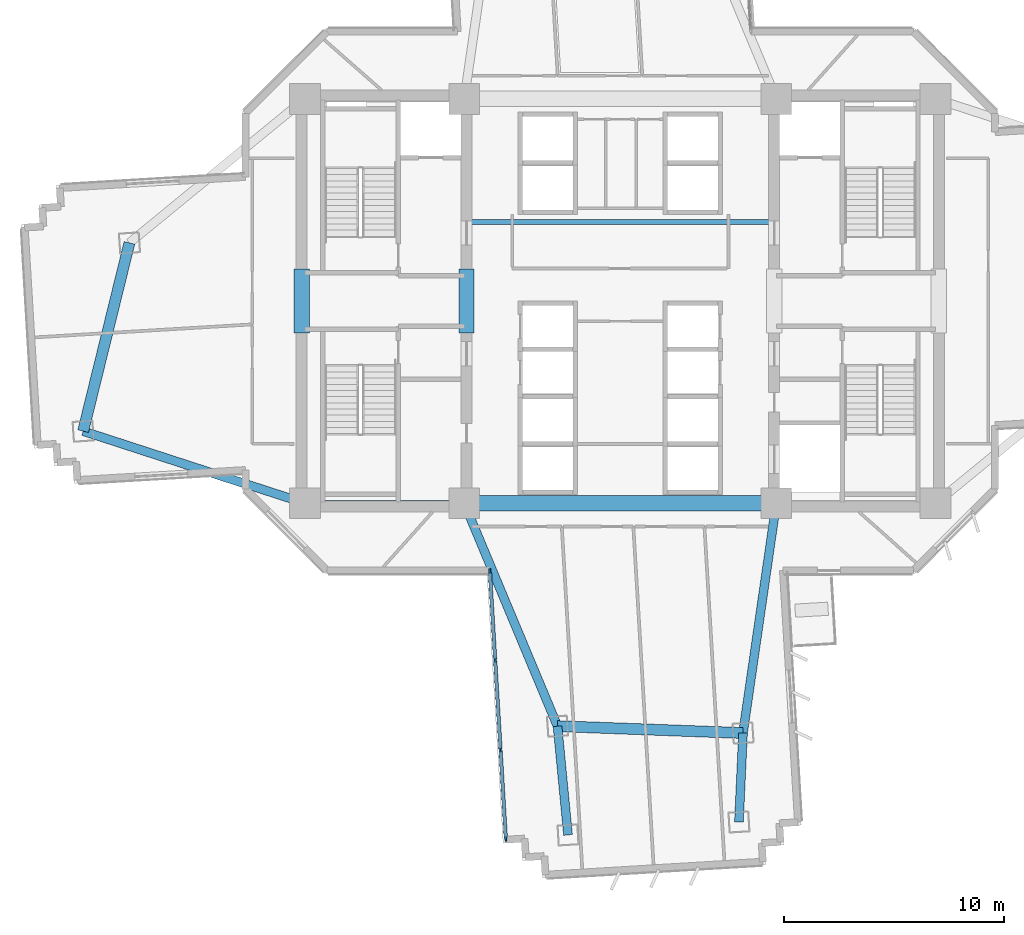
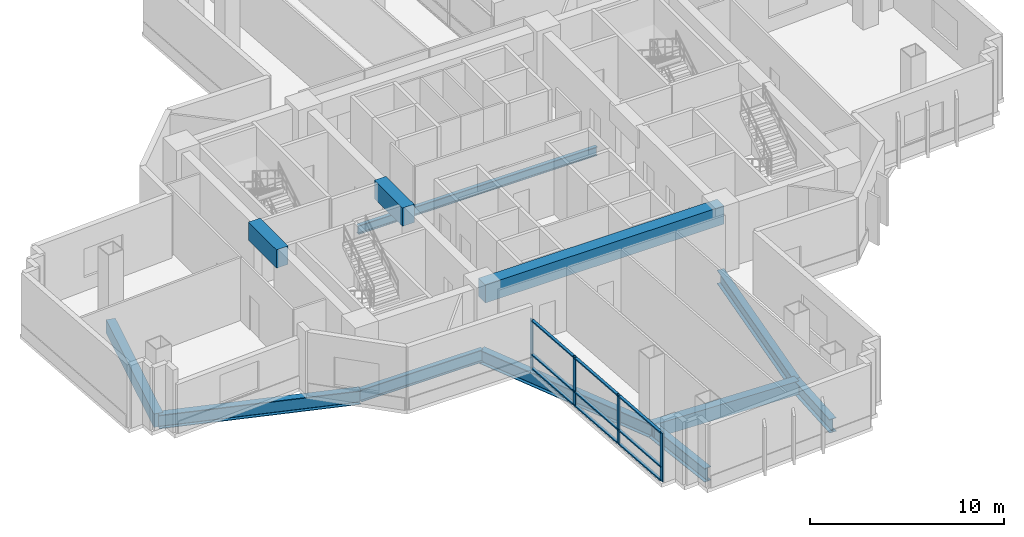
# One storey, part 2 of 15: 13 members, 12 beams, 1 element without a shape of its own.
"""IFC4 building model written with IfcOpenShell, lengths in metres."""

from ifc_helpers import new_model, si_unit, direction, frame, origin, origin_2d, place, context, subcontext, project, spatial, rectangle, i_section, extrude, source, transform, mapped, material, layer, layer_set, material_profile, profile_set, type_object, element, aggregate, save


model = new_model("IFC4")

# Units and contexts
model_context = context("Model", 3, precision=1e-05, world=origin(), true_north=direction((0.0, 1.0)))
body_context = subcontext(model_context, "Body", "Model", "MODEL_VIEW")
ifc_project = project(units=[si_unit("LENGTHUNIT", "METRE"), si_unit("AREAUNIT", "SQUARE_METRE"), si_unit("VOLUMEUNIT", "CUBIC_METRE"), si_unit("PLANEANGLEUNIT", "RADIAN"), si_unit("MASSUNIT", "GRAM", prefix="KILO")], contexts=[model_context])

# Site, building, storey
site_placement = place(None, origin())
site = spatial("IfcSite", under=ifc_project, at=site_placement, CompositionType="ELEMENT")
building_placement = place(site_placement, origin())
building = spatial("IfcBuilding", under=site, at=building_placement, Name="Zahravan Cultural Tower", CompositionType="ELEMENT")
storey_placement = place(building_placement, frame((0.0, 0.0, 66.89990234375)))
storey = spatial("IfcBuildingStorey", under=building, at=storey_placement, Name="L14", CompositionType="ELEMENT", Elevation=66.89990234375)

# Beams
ifc_material_1 = material(Name="Concrete C50/60", Category="concrete")
ifc_material_profile_1 = material_profile(ifc_material_1, rectangle(XDim=0.699951171875, YDim=1.14990234375, at=origin_2d()), Name="RC700X1150")
ifc_profile_set_1 = profile_set([ifc_material_profile_1], Name="Concrete C50/60")
beam_type_1 = type_object("IfcBeamType", Name="BM-LN-RC700X1150", PredefinedType="LINTEL", material=ifc_profile_set_1)
shared_shape_1 = source(origin(), body_context, "Body", "SweptSolid", [
    extrude(rectangle(XDim=0.699951171875, YDim=1.14990234375, at=origin_2d()), origin(), (0.0, 0.0, 1.0), 14.2001953125),
])
beam_1_placement = place(storey_placement, frame((28.89990234375, 17.800048828125, 3.375), z_axis=(1.0, 0.0, 0.0), x_axis=(0.0, 1.0, 0.0)))
element("IfcBeam", 1, at=beam_1_placement, inside=storey, type_object=beam_type_1, Name="L14 Beam LN-L14-S", PredefinedType="LINTEL", context=body_context, shape_type="MappedRepresentation", body=[
    mapped(shared_shape_1, transform((0.0, 0.0, 0.0), x_axis=(1.0, 0.0, 0.0), y_axis=(0.0, 1.0, 0.0), z_axis=(0.0, 0.0, 1.0), scale=1.0)),
])
shared_shape_2 = source(origin(), body_context, "Body", "SweptSolid", [
    extrude(rectangle(XDim=0.699951171875, YDim=1.14990234375, at=origin_2d()), origin(), (0.0, 0.0, 1.0), 2.89990234375),
])
for number, where, z_axis, x_axis, name in (
    (2, (21.5, 25.550048828125, 3.375), (0.0, 1.0, 0.0), (-1.0, 0.0, 0.0), "L14 Beam LN-L14-PWW"),
    (3, (29.0, 25.550048828125, 3.375), (0.0, 1.0, 0.0), (-1.0, 0.0, 0.0), "L14 Beam LN-L14-PWE"),
):
    element("IfcBeam", number, at=place(storey_placement, frame(where, z_axis=z_axis, x_axis=x_axis)), inside=storey, type_object=beam_type_1, Name=name, PredefinedType="LINTEL", context=body_context, shape_type="MappedRepresentation", body=[
        mapped(shared_shape_2, transform((0.0, 0.0, 0.0), x_axis=(1.0, 0.0, 0.0), y_axis=(0.0, 1.0, 0.0), z_axis=(0.0, 0.0, 1.0), scale=1.0)),
    ])
ifc_material_2 = material(Name="Steel ASTM A992 Grade 50", Category="steel")
ifc_material_profile_2 = material_profile(ifc_material_2, i_section(OverallWidth=0.26611328125, OverallDepth=0.780029296875, WebThickness=0.0166015625, FlangeThickness=0.030029296875, FilletRadius=0.01904296875, at=origin_2d()), Name="W30X148")
ifc_profile_set_2 = profile_set([ifc_material_profile_2], Name="Steel ASTM A992 Grade 50")
beam_type_2 = type_object("IfcBeamType", Name="BM-G-W30X148", PredefinedType="BEAM", material=ifc_profile_set_2)
shared_shape_3 = source(origin(), body_context, "Body", "SweptSolid", [
    extrude(i_section(OverallWidth=0.26611328125, OverallDepth=0.780029296875, WebThickness=0.0166015625, FlangeThickness=0.030029296875, FilletRadius=0.01904296875, at=origin_2d()), origin(), (0.0, 0.0, 1.0), 7.25),
])
beam_2_placement = place(storey_placement, frame((21.64990234375, 17.800048828125, -0.639892578125), z_axis=(1.0, 0.0, 0.0), x_axis=(0.0, 1.0, 0.0)))
element("IfcBeam", 4, at=beam_2_placement, inside=storey, type_object=beam_type_2, Name="L14 Beam BG-L14-01", PredefinedType="BEAM", context=body_context, shape_type="MappedRepresentation", body=[
    mapped(shared_shape_3, transform((0.0, 0.0, 0.0), x_axis=(1.0, 0.0, 0.0), y_axis=(0.0, 1.0, 0.0), z_axis=(0.0, 0.0, 1.0), scale=1.0)),
])
ifc_material_profile_3 = material_profile(ifc_material_1, rectangle(XDim=0.5, YDim=0.85009765625, at=origin_2d()), Name="RC500X850")
ifc_profile_set_3 = profile_set([ifc_material_profile_3], Name="Concrete C50/60")
beam_type_3 = type_object("IfcBeamType", Name="BM-SP-RC500X850", PredefinedType="SPANDREL", material=ifc_profile_set_3)
shared_shape_4 = source(origin(), body_context, "Body", "SweptSolid", [
    extrude(rectangle(XDim=0.5, YDim=0.85009765625, at=origin_2d()), origin(), (0.0, 0.0, 1.0), 8.4482421875),
])
beam_3_placement = place(storey_placement, frame((33.142578125, 7.653564453125, -0.6748046875), z_axis=(0.999318826256, -0.036903705643, 0.0), x_axis=(0.036903705643, 0.999318826256, 0.0)))
element("IfcBeam", 5, at=beam_3_placement, inside=storey, type_object=beam_type_3, Name="L14 Beam SP-L14-19", PredefinedType="SPANDREL", context=body_context, shape_type="MappedRepresentation", body=[
    mapped(shared_shape_4, transform((0.0, 0.0, 0.0), x_axis=(1.0, 0.0, 0.0), y_axis=(0.0, 1.0, 0.0), z_axis=(0.0, 0.0, 1.0), scale=1.0)),
])
shared_shape_5 = source(origin(), body_context, "Body", "SweptSolid", [
    extrude(rectangle(XDim=0.5, YDim=0.85009765625, at=origin_2d()), origin(), (0.0, 0.0, 1.0), 8.8232421875),
])
beam_4_placement = place(storey_placement, frame((13.660888671875, 29.648193359375, -0.6748046875), z_axis=(-0.238848860516, -0.971056755206, 0.0), x_axis=(0.971056755206, -0.238848860516, 0.0)))
element("IfcBeam", 6, at=beam_4_placement, inside=storey, type_object=beam_type_3, Name="L14 Beam SP-L14-22", PredefinedType="SPANDREL", context=body_context, shape_type="MappedRepresentation", body=[
    mapped(shared_shape_5, transform((0.0, 0.0, 0.0), x_axis=(1.0, 0.0, 0.0), y_axis=(0.0, 1.0, 0.0), z_axis=(0.0, 0.0, 1.0), scale=1.0)),
])
ifc_material_profile_4 = material_profile(ifc_material_2, i_section(OverallWidth=0.39990234375, OverallDepth=0.862060546875, WebThickness=0.019775390625, FlangeThickness=0.032470703125, FilletRadius=0.02001953125, at=origin_2d()), Name="W33X221")
ifc_profile_set_4 = profile_set([ifc_material_profile_4], Name="Steel ASTM A992 Grade 50")
beam_type_4 = type_object("IfcBeamType", Name="BM-G-W33X221", PredefinedType="BEAM", material=ifc_profile_set_4)
shared_shape_6 = source(origin(), body_context, "Body", "SweptSolid", [
    extrude(i_section(OverallWidth=0.39990234375, OverallDepth=0.862060546875, WebThickness=0.019775390625, FlangeThickness=0.032470703125, FilletRadius=0.02001953125, at=origin_2d()), origin(), (0.0, 0.0, 1.0), 10.615966796875),
])
beam_5_placement = place(storey_placement, frame((21.64990234375, 17.800048828125, -0.680908203125), z_axis=(-0.951063640083, 0.30899506875, 0.0), x_axis=(-0.30899506875, -0.951063640083, 0.0)))
element("IfcBeam", 7, at=beam_5_placement, inside=storey, type_object=beam_type_4, Name="L14 Beam BG-L14-07", PredefinedType="BEAM", context=body_context, shape_type="MappedRepresentation", body=[
    mapped(shared_shape_6, transform((0.0, 0.0, 0.0), x_axis=(1.0, 0.0, 0.0), y_axis=(0.0, 1.0, 0.0), z_axis=(0.0, 0.0, 1.0), scale=1.0)),
])
shared_shape_7 = source(origin(), body_context, "Body", "SweptSolid", [
    extrude(i_section(OverallWidth=0.39990234375, OverallDepth=0.862060546875, WebThickness=0.019775390625, FlangeThickness=0.032470703125, FilletRadius=0.02001953125, at=origin_2d()), origin(), (0.0, 0.0, 1.0), 10.997802734375),
])
beam_6_placement = place(storey_placement, frame((28.89990234375, 17.800048828125, -0.680908203125), z_axis=(0.385775211449, -0.922592806297, 0.0), x_axis=(0.922592806297, 0.385775211449, 0.0)))
element("IfcBeam", 8, at=beam_6_placement, inside=storey, type_object=beam_type_4, Name="L14 Beam BG-L14-08", PredefinedType="BEAM", context=body_context, shape_type="MappedRepresentation", body=[
    mapped(shared_shape_7, transform((0.0, 0.0, 0.0), x_axis=(1.0, 0.0, 0.0), y_axis=(0.0, 1.0, 0.0), z_axis=(0.0, 0.0, 1.0), scale=1.0)),
])
shared_shape_8 = source(origin(), body_context, "Body", "SweptSolid", [
    extrude(i_section(OverallWidth=0.39990234375, OverallDepth=0.862060546875, WebThickness=0.019775390625, FlangeThickness=0.032470703125, FilletRadius=0.02001953125, at=origin_2d()), origin(), (0.0, 0.0, 1.0), 10.5673828125),
])
beam_7_placement = place(storey_placement, frame((43.10009765625, 17.800048828125, -0.680908203125), z_axis=(-0.143377913539, -0.989668011966, 0.0), x_axis=(0.989668011966, -0.143377913539, 0.0)))
element("IfcBeam", 9, at=beam_7_placement, inside=storey, type_object=beam_type_4, Name="L14 Beam BG-L14-09", PredefinedType="BEAM", context=body_context, shape_type="MappedRepresentation", body=[
    mapped(shared_shape_8, transform((0.0, 0.0, 0.0), x_axis=(1.0, 0.0, 0.0), y_axis=(0.0, 1.0, 0.0), z_axis=(0.0, 0.0, 1.0), scale=1.0)),
])
shared_shape_9 = source(origin(), body_context, "Body", "SweptSolid", [
    extrude(i_section(OverallWidth=0.39990234375, OverallDepth=0.862060546875, WebThickness=0.019775390625, FlangeThickness=0.032470703125, FilletRadius=0.02001953125, at=origin_2d()), origin(), (0.0, 0.0, 1.0), 4.973876953125),
])
beam_8_placement = place(storey_placement, frame((33.142578125, 7.653564453125, -0.680908203125), z_axis=(0.096154779131, -0.995366394073, 0.0), x_axis=(0.995366394073, 0.096154779131, 0.0)))
element("IfcBeam", 10, at=beam_8_placement, inside=storey, type_object=beam_type_4, Name="L14 Beam BG-L14-17", PredefinedType="BEAM", context=body_context, shape_type="MappedRepresentation", body=[
    mapped(shared_shape_9, transform((0.0, 0.0, 0.0), x_axis=(1.0, 0.0, 0.0), y_axis=(0.0, 1.0, 0.0), z_axis=(0.0, 0.0, 1.0), scale=1.0)),
])
shared_shape_10 = source(origin(), body_context, "Body", "SweptSolid", [
    extrude(i_section(OverallWidth=0.39990234375, OverallDepth=0.862060546875, WebThickness=0.019775390625, FlangeThickness=0.032470703125, FilletRadius=0.02001953125, at=origin_2d()), origin(), (0.0, 0.0, 1.0), 4.0537109375),
])
beam_9_placement = place(storey_placement, frame((41.5849609375, 7.341796875, -0.680908203125), z_axis=(-0.045770994677, -0.998951958828, 0.0), x_axis=(0.998951958828, -0.045770994677, 0.0)))
element("IfcBeam", 11, at=beam_9_placement, inside=storey, type_object=beam_type_4, Name="L14 Beam BG-L14-18", PredefinedType="BEAM", context=body_context, shape_type="MappedRepresentation", body=[
    mapped(shared_shape_10, transform((0.0, 0.0, 0.0), x_axis=(1.0, 0.0, 0.0), y_axis=(0.0, 1.0, 0.0), z_axis=(0.0, 0.0, 1.0), scale=1.0)),
])
ifc_material_profile_5 = material_profile(ifc_material_2, i_section(OverallWidth=0.214111328125, OverallDepth=0.549072265625, WebThickness=0.0146484375, FlangeThickness=0.023681640625, FilletRadius=0.013916015625, at=origin_2d()), Name="W21X93")
ifc_profile_set_5 = profile_set([ifc_material_profile_5], Name="Steel ASTM A992 Grade 50")
beam_type_5 = type_object("IfcBeamType", Name="BM-J-W21X93", PredefinedType="JOIST", material=ifc_profile_set_5)
shared_shape_11 = source(origin(), body_context, "Body", "SweptSolid", [
    extrude(i_section(OverallWidth=0.214111328125, OverallDepth=0.549072265625, WebThickness=0.0146484375, FlangeThickness=0.023681640625, FilletRadius=0.013916015625, at=origin_2d()), origin(), (0.0, 0.0, 1.0), 14.2001953125),
])
beam_10_placement = place(storey_placement, frame((28.89990234375, 30.60009765625, -0.5244140625), z_axis=(1.0, 0.0, 0.0), x_axis=(0.0, 1.0, 0.0)))
element("IfcBeam", 12, at=beam_10_placement, inside=storey, type_object=beam_type_5, Name="L14 Beam BJ-L14-23", PredefinedType="JOIST", context=body_context, shape_type="MappedRepresentation", body=[
    mapped(shared_shape_11, transform((0.0, 0.0, 0.0), x_axis=(1.0, 0.0, 0.0), y_axis=(0.0, 1.0, 0.0), z_axis=(0.0, 0.0, 1.0), scale=1.0)),
])

# Curtain wall, members
ifc_material_3 = material(Name="Anodised bronze-aluminium mullion", Category="aluminium")
ifc_layer = layer(ifc_material_3, 0.219970703125)
ifc_layer_set = layer_set([ifc_layer], Name="Anodised bronze-aluminium mullion")
curtain_wall_type = type_object("IfcCurtainWallType", Name="CW-SYS-1", PredefinedType="USERDEFINED", material=ifc_layer_set)
curtain_wall_placement = place(storey_placement, origin())
curtain_wall = element("IfcCurtainWall", 13, at=curtain_wall_placement, inside=storey, type_object=curtain_wall_type, Name="L14 Recessed Curtain Wall CW-1.1", ObjectType="RECESSED GLAZING", PredefinedType="USERDEFINED")
ifc_material_profile_6 = material_profile(ifc_material_3, rectangle(XDim=0.080078125, YDim=0.219970703125, at=origin_2d()), Name="AL-M80X220")
ifc_profile_set_6 = profile_set([ifc_material_profile_6], Name="Anodised bronze-aluminium mullion")
member_type_1 = type_object("IfcMemberType", Name="CWM-CW-1", PredefinedType="MULLION", material=ifc_profile_set_6)
shared_shape_12 = source(origin(), body_context, "Body", "SweptSolid", [
    extrude(rectangle(XDim=0.080078125, YDim=0.219970703125, at=origin_2d()), origin(), (0.0, 0.0, 1.0), 3.070068359375),
])
member_1_placement = place(storey_placement, frame((30.790771484375, 2.525634765625, 0.0), z_axis=(0.0, 0.0, 1.0), x_axis=(-0.998219222021, -0.059652198511, 0.0)))
member_1 = element("IfcMember", 14, at=member_1_placement, type_object=member_type_1, Name="CW-1 mullion 1", PredefinedType="MULLION", context=body_context, shape_type="MappedRepresentation", body=[
    mapped(shared_shape_12, transform((0.0, 0.0, 0.0), x_axis=(1.0, 0.0, 0.0), y_axis=(0.0, 1.0, 0.0), z_axis=(0.0, 0.0, 1.0), scale=1.0)),
])
member_2_placement = place(storey_placement, frame((30.549072265625, 6.570556640625, 0.0), z_axis=(0.0, 0.0, 1.0), x_axis=(-0.998219222021, -0.059652198511, 0.0)))
member_2 = element("IfcMember", 15, at=member_2_placement, type_object=member_type_1, Name="CW-1 mullion 2", PredefinedType="MULLION", context=body_context, shape_type="MappedRepresentation", body=[
    mapped(shared_shape_12, transform((0.0, 0.0, 0.0), x_axis=(1.0, 0.0, 0.0), y_axis=(0.0, 1.0, 0.0), z_axis=(0.0, 0.0, 1.0), scale=1.0)),
])
member_3_placement = place(storey_placement, frame((30.304931640625, 10.6552734375, 0.0), z_axis=(0.0, 0.0, 1.0), x_axis=(-0.998219222021, -0.059652198511, 0.0)))
member_3 = element("IfcMember", 16, at=member_3_placement, type_object=member_type_1, Name="CW-1 mullion 3", PredefinedType="MULLION", context=body_context, shape_type="MappedRepresentation", body=[
    mapped(shared_shape_12, transform((0.0, 0.0, 0.0), x_axis=(1.0, 0.0, 0.0), y_axis=(0.0, 1.0, 0.0), z_axis=(0.0, 0.0, 1.0), scale=1.0)),
])
member_4_placement = place(storey_placement, frame((30.063232421875, 14.699951171875, 0.0), z_axis=(0.0, 0.0, 1.0), x_axis=(-0.998219222021, -0.059652198511, 0.0)))
member_4 = element("IfcMember", 17, at=member_4_placement, type_object=member_type_1, Name="CW-1 mullion 4", PredefinedType="MULLION", context=body_context, shape_type="MappedRepresentation", body=[
    mapped(shared_shape_12, transform((0.0, 0.0, 0.0), x_axis=(1.0, 0.0, 0.0), y_axis=(0.0, 1.0, 0.0), z_axis=(0.0, 0.0, 1.0), scale=1.0)),
])
ifc_material_profile_7 = material_profile(ifc_material_3, rectangle(XDim=0.159912109375, YDim=0.080078125, at=origin_2d()), Name="AL-T80X160")
ifc_profile_set_7 = profile_set([ifc_material_profile_7], Name="Anodised bronze-aluminium mullion")
member_type_2 = type_object("IfcMemberType", Name="CWT-CW-1", PredefinedType="USERDEFINED", material=ifc_profile_set_7)
shared_shape_13 = source(origin(), body_context, "Body", "SweptSolid", [
    extrude(rectangle(XDim=0.159912109375, YDim=0.080078125, at=origin_2d()), origin(), (0.0, 0.0, 1.0), 3.971923828125),
])
member_5_placement = place(storey_placement, frame((30.788330078125, 2.565673828125, 0.0400390625), z_axis=(-0.059684052693, 0.998217317949, 0.0), x_axis=(-0.998217317949, -0.059684052693, 0.0)))
member_5 = element("IfcMember", 18, at=member_5_placement, type_object=member_type_2, Name="CW-1 transom 1.1", ObjectType="TRANSOM", PredefinedType="USERDEFINED", context=body_context, shape_type="MappedRepresentation", body=[
    mapped(shared_shape_13, transform((0.0, 0.0, 0.0), x_axis=(1.0, 0.0, 0.0), y_axis=(0.0, 1.0, 0.0), z_axis=(0.0, 0.0, 1.0), scale=1.0)),
])
member_6_placement = place(storey_placement, frame((30.788330078125, 2.565673828125, 0.900146484375), z_axis=(-0.059684052693, 0.998217317949, 0.0), x_axis=(-0.998217317949, -0.059684052693, 0.0)))
member_6 = element("IfcMember", 19, at=member_6_placement, type_object=member_type_2, Name="CW-1 transom 1.2", ObjectType="TRANSOM", PredefinedType="USERDEFINED", context=body_context, shape_type="MappedRepresentation", body=[
    mapped(shared_shape_13, transform((0.0, 0.0, 0.0), x_axis=(1.0, 0.0, 0.0), y_axis=(0.0, 1.0, 0.0), z_axis=(0.0, 0.0, 1.0), scale=1.0)),
])
member_7_placement = place(storey_placement, frame((30.788330078125, 2.565673828125, 3.030029296875), z_axis=(-0.059684052693, 0.998217317949, 0.0), x_axis=(-0.998217317949, -0.059684052693, 0.0)))
member_7 = element("IfcMember", 20, at=member_7_placement, type_object=member_type_2, Name="CW-1 transom 1.3", ObjectType="TRANSOM", PredefinedType="USERDEFINED", context=body_context, shape_type="MappedRepresentation", body=[
    mapped(shared_shape_13, transform((0.0, 0.0, 0.0), x_axis=(1.0, 0.0, 0.0), y_axis=(0.0, 1.0, 0.0), z_axis=(0.0, 0.0, 1.0), scale=1.0)),
])
shared_shape_14 = source(origin(), body_context, "Body", "SweptSolid", [
    extrude(rectangle(XDim=0.159912109375, YDim=0.080078125, at=origin_2d()), origin(), (0.0, 0.0, 1.0), 4.011962890625),
])
member_8_placement = place(storey_placement, frame((30.546630859375, 6.6103515625, 0.0400390625), z_axis=(-0.059635200737, 0.99822023764, 0.0), x_axis=(-0.99822023764, -0.059635200737, 0.0)))
member_8 = element("IfcMember", 21, at=member_8_placement, type_object=member_type_2, Name="CW-1 transom 2.1", ObjectType="TRANSOM", PredefinedType="USERDEFINED", context=body_context, shape_type="MappedRepresentation", body=[
    mapped(shared_shape_14, transform((0.0, 0.0, 0.0), x_axis=(1.0, 0.0, 0.0), y_axis=(0.0, 1.0, 0.0), z_axis=(0.0, 0.0, 1.0), scale=1.0)),
])
member_9_placement = place(storey_placement, frame((30.546630859375, 6.6103515625, 0.900146484375), z_axis=(-0.059635200737, 0.99822023764, 0.0), x_axis=(-0.99822023764, -0.059635200737, 0.0)))
member_9 = element("IfcMember", 22, at=member_9_placement, type_object=member_type_2, Name="CW-1 transom 2.2", ObjectType="TRANSOM", PredefinedType="USERDEFINED", context=body_context, shape_type="MappedRepresentation", body=[
    mapped(shared_shape_14, transform((0.0, 0.0, 0.0), x_axis=(1.0, 0.0, 0.0), y_axis=(0.0, 1.0, 0.0), z_axis=(0.0, 0.0, 1.0), scale=1.0)),
])
member_10_placement = place(storey_placement, frame((30.546630859375, 6.6103515625, 3.030029296875), z_axis=(-0.059635200737, 0.99822023764, 0.0), x_axis=(-0.99822023764, -0.059635200737, 0.0)))
member_10 = element("IfcMember", 23, at=member_10_placement, type_object=member_type_2, Name="CW-1 transom 2.3", ObjectType="TRANSOM", PredefinedType="USERDEFINED", context=body_context, shape_type="MappedRepresentation", body=[
    mapped(shared_shape_14, transform((0.0, 0.0, 0.0), x_axis=(1.0, 0.0, 0.0), y_axis=(0.0, 1.0, 0.0), z_axis=(0.0, 0.0, 1.0), scale=1.0)),
])
shared_shape_15 = source(origin(), body_context, "Body", "SweptSolid", [
    extrude(rectangle(XDim=0.159912109375, YDim=0.080078125, at=origin_2d()), origin(), (0.0, 0.0, 1.0), 3.97216796875),
])
member_11_placement = place(storey_placement, frame((30.302490234375, 10.695068359375, 0.0400390625), z_axis=(-0.059619146648, 0.998221196606, 0.0), x_axis=(-0.998221196606, -0.059619146648, 0.0)))
member_11 = element("IfcMember", 24, at=member_11_placement, type_object=member_type_2, Name="CW-1 transom 3.1", ObjectType="TRANSOM", PredefinedType="USERDEFINED", context=body_context, shape_type="MappedRepresentation", body=[
    mapped(shared_shape_15, transform((0.0, 0.0, 0.0), x_axis=(1.0, 0.0, 0.0), y_axis=(0.0, 1.0, 0.0), z_axis=(0.0, 0.0, 1.0), scale=1.0)),
])
member_12_placement = place(storey_placement, frame((30.302490234375, 10.695068359375, 0.900146484375), z_axis=(-0.059619146648, 0.998221196606, 0.0), x_axis=(-0.998221196606, -0.059619146648, 0.0)))
member_12 = element("IfcMember", 25, at=member_12_placement, type_object=member_type_2, Name="CW-1 transom 3.2", ObjectType="TRANSOM", PredefinedType="USERDEFINED", context=body_context, shape_type="MappedRepresentation", body=[
    mapped(shared_shape_15, transform((0.0, 0.0, 0.0), x_axis=(1.0, 0.0, 0.0), y_axis=(0.0, 1.0, 0.0), z_axis=(0.0, 0.0, 1.0), scale=1.0)),
])
member_13_placement = place(storey_placement, frame((30.302490234375, 10.695068359375, 3.030029296875), z_axis=(-0.059619146648, 0.998221196606, 0.0), x_axis=(-0.998221196606, -0.059619146648, 0.0)))
member_13 = element("IfcMember", 26, at=member_13_placement, type_object=member_type_2, Name="CW-1 transom 3.3", ObjectType="TRANSOM", PredefinedType="USERDEFINED", context=body_context, shape_type="MappedRepresentation", body=[
    mapped(shared_shape_15, transform((0.0, 0.0, 0.0), x_axis=(1.0, 0.0, 0.0), y_axis=(0.0, 1.0, 0.0), z_axis=(0.0, 0.0, 1.0), scale=1.0)),
])
aggregate(curtain_wall, [member_1, member_2, member_3, member_4, member_5, member_6, member_7, member_8, member_9, member_10, member_11, member_12, member_13])

save(model, "model.ifc")
